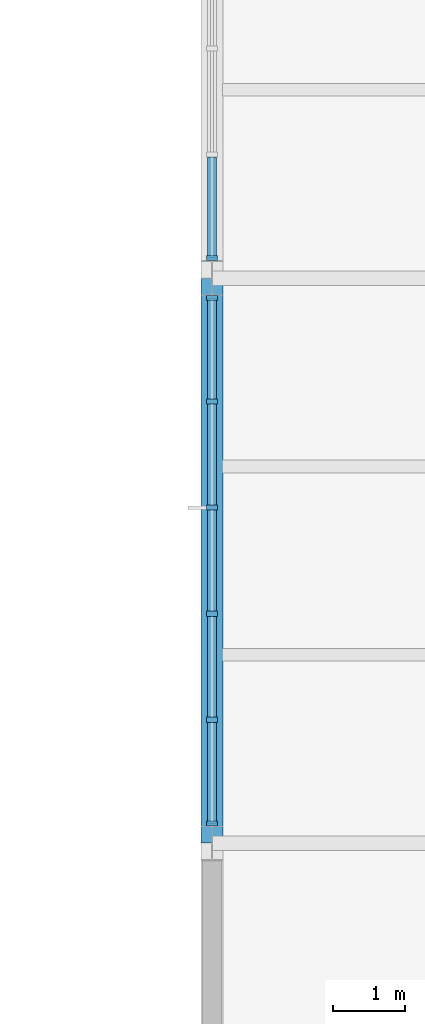
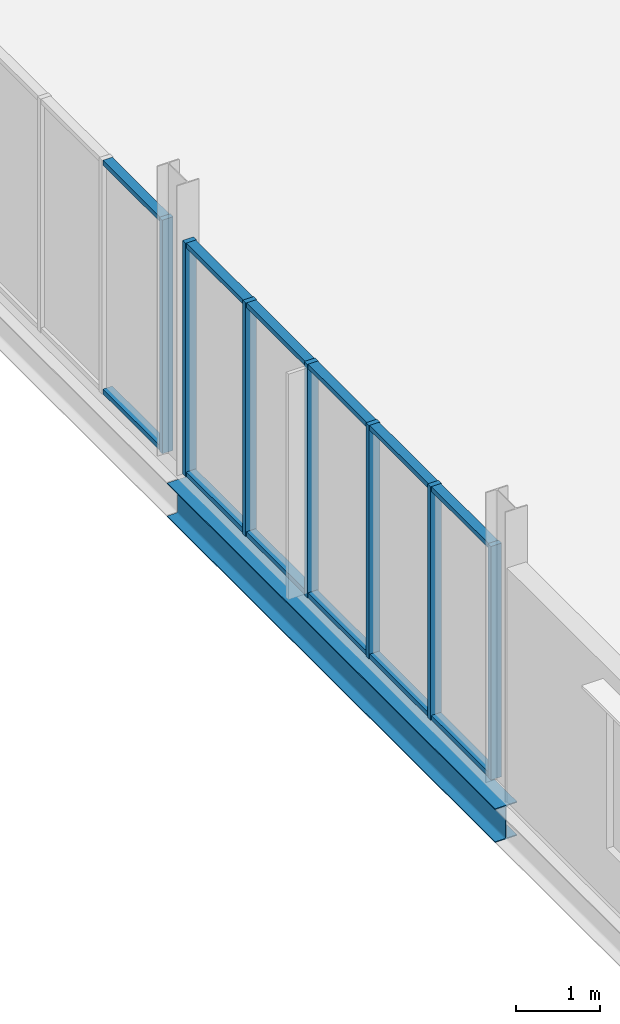
# One storey, part 12 of 45: 19 members, 1 beam, 2 elements without a shape of their own.
"""IFC4 building model written with IfcOpenShell, lengths in metres."""

import ifcopenshell
import ifcopenshell.guid

model = None  # the IFC model being written
_history = None  # IfcOwnerHistory: only IFC2X3 demands one
_inside = {}  # id of a spatial element -> (the spatial element, [elements in it])
_under = {}  # id of a project, library or spatial element -> (it, [spatial elements below it])
_declared = {}  # id of a project -> (the project, [libraries it declares])
_typed = {}  # id of a type object -> (the type object, [elements of that type])
_made_of = {}  # id of a material, layer set ... -> (it, [elements and type objects made of it])


def new_model(schema):
    """Start an empty IFC model of exactly this schema.

    Asked for "IFC4X3", IfcOpenShell would pick the latest addendum, in which some entities
    have other attributes; the version numbers below select the first issue.
    IFC2X3 requires an IfcOwnerHistory on every rooted entity: one is made here for all.
    """
    global model, _history
    if schema == "IFC4X3":
        model = ifcopenshell.file(schema_version=(4, 3, 0, 0))
    else:
        model = ifcopenshell.file(schema=schema)
    _inside.clear()
    _under.clear()
    _declared.clear()
    _typed.clear()
    _made_of.clear()
    _history = None
    if model.schema == "IFC2X3":
        org = make("IfcOrganization", Name="unknown")
        user = make(
            "IfcPersonAndOrganization",
            ThePerson=make("IfcPerson", FamilyName="unknown"),
            TheOrganization=org,
        )
        app = make(
            "IfcApplication",
            ApplicationDeveloper=org,
            Version="unknown",
            ApplicationFullName="unknown",
            ApplicationIdentifier="unknown",
        )
        _history = make(
            "IfcOwnerHistory",
            OwningUser=user,
            OwningApplication=app,
            ChangeAction="ADDED",
            CreationDate=0,
        )
    return model


def make(cls, **values):
    """One entity of the class cls with the attributes given. An attribute that is None is left unset."""
    return model.create_entity(
        cls, **{name: value for name, value in values.items() if value is not None}
    )


def rooted(cls, **values):
    """An entity with a GlobalId (a new one), such as an element, a storey or a relation."""
    return make(cls, GlobalId=ifcopenshell.guid.new(), OwnerHistory=_history, **values)


def si_unit(unit_type, name, prefix=None):
    """IfcSIUnit, for example si_unit("LENGTHUNIT", "METRE", prefix="MILLI")."""
    return make("IfcSIUnit", UnitType=unit_type, Prefix=prefix, Name=name)


def assignment(units):
    """IfcUnitAssignment: the units of a project."""
    return None if units is None else make("IfcUnitAssignment", Units=units)


def point(xyz):
    """IfcCartesianPoint."""
    return None if xyz is None else make("IfcCartesianPoint", Coordinates=xyz)


def direction(xyz):
    """IfcDirection."""
    return None if xyz is None else make("IfcDirection", DirectionRatios=xyz)


def frame(location, z_axis=None, x_axis=None):
    """IfcAxis2Placement3D, a coordinate frame: its origin and axes. An axis left out is left unset."""
    return make(
        "IfcAxis2Placement3D",
        Location=point(location),
        Axis=direction(z_axis),
        RefDirection=direction(x_axis),
    )


def frame_2d(location, x_axis=None):
    """IfcAxis2Placement2D, a coordinate frame in the plane: its origin and x axis."""
    return make(
        "IfcAxis2Placement2D", Location=point(location), RefDirection=direction(x_axis)
    )


def origin():
    """The frame at (0, 0, 0) with its axes left unset."""
    return frame((0.0, 0.0, 0.0))


def origin_2d():
    """The frame at (0, 0) in the plane with its x axis left unset."""
    return frame_2d((0.0, 0.0))


def place(relative_to, where):
    """IfcLocalPlacement: puts the frame where relative to a parent placement (None: the world)."""
    return make(
        "IfcLocalPlacement", PlacementRelTo=relative_to, RelativePlacement=where
    )


def context(
    kind, dimensions, precision=None, world=None, true_north=None, identifier=None
):
    """IfcGeometricRepresentationContext, for example the 3D "Model" context."""
    return make(
        "IfcGeometricRepresentationContext",
        ContextIdentifier=identifier,
        ContextType=kind,
        CoordinateSpaceDimension=dimensions,
        Precision=precision,
        WorldCoordinateSystem=world,
        TrueNorth=true_north,
    )


def subcontext(parent, identifier, kind, view, scale=None):
    """IfcGeometricRepresentationSubContext, for example "Body" below "Model"."""
    return make(
        "IfcGeometricRepresentationSubContext",
        ContextIdentifier=identifier,
        ContextType=kind,
        ParentContext=parent,
        TargetScale=scale,
        TargetView=view,
    )


def project(units=None, contexts=None):
    """IfcProject with its units and contexts."""
    return rooted(
        "IfcProject",
        Name="project",
        RepresentationContexts=contexts,
        UnitsInContext=assignment(units),
    )


def spatial(cls, under=None, at=None, **own):
    """A site, building, storey or space (cls), placed at a placement, below another one or the project."""
    s = rooted(cls, ObjectPlacement=at, **own)
    if under is not None:
        _under.setdefault(under.id(), (under, []))[1].append(s)
    return s


def profile(cls, at=None, kind="AREA", **sizes):
    """A parametric profile (cls). Its sizes go by their IFC names, for example OverallWidth=200.0."""
    return make(cls, ProfileType=kind, Position=at, **sizes)


def rectangle(**sizes):
    """IfcRectangleProfileDef."""
    return profile("IfcRectangleProfileDef", **sizes)


def i_section(**sizes):
    """IfcIShapeProfileDef."""
    return profile("IfcIShapeProfileDef", **sizes)


def extrude(swept, where, along, depth):
    """IfcExtrudedAreaSolid: the profile swept, set in the frame where, extruded along a direction by depth."""
    return make(
        "IfcExtrudedAreaSolid",
        SweptArea=swept,
        Position=where,
        ExtrudedDirection=direction(along),
        Depth=depth,
    )


def shape(context_of_items, identifier, shape_type, items):
    """IfcShapeRepresentation: the items that make up one representation, for example the "Body"."""
    return make(
        "IfcShapeRepresentation",
        ContextOfItems=context_of_items,
        RepresentationIdentifier=identifier,
        RepresentationType=shape_type,
        Items=items,
    )


def material(Name=None, Category=None):
    """IfcMaterial."""
    return make("IfcMaterial", Name=Name, Category=Category)


def layer(
    of_material, thickness, ventilated=None, Name=None, Category=None, Priority=None
):
    """IfcMaterialLayer: one layer of a wall or slab, of a material (None: an air gap)."""
    return make(
        "IfcMaterialLayer",
        Material=of_material,
        LayerThickness=thickness,
        IsVentilated=ventilated,
        Name=Name,
        Category=Category,
        Priority=Priority,
    )


def layer_set(layers, Name=None):
    """IfcMaterialLayerSet."""
    return make("IfcMaterialLayerSet", MaterialLayers=layers, LayerSetName=Name)


def material_profile(
    of_material, cross_section, Name=None, Category=None, Priority=None
):
    """IfcMaterialProfile: a cross section and its material."""
    return make(
        "IfcMaterialProfile",
        Name=Name,
        Material=of_material,
        Profile=cross_section,
        Priority=Priority,
        Category=Category,
    )


def profile_set(profiles, Name=None, composite=None):
    """IfcMaterialProfileSet."""
    return make(
        "IfcMaterialProfileSet",
        Name=Name,
        MaterialProfiles=profiles,
        CompositeProfile=composite,
    )


def made_of(thing, what):
    """Note that an element or type object is made of a material, layer set ...; save() writes the relation."""
    if what is not None:
        _made_of.setdefault(what.id(), (what, []))[1].append(thing)
    return thing


def type_object(cls, material=None, **own):
    """A type object (cls), such as IfcWallType, which elements share."""
    return made_of(rooted(cls, **own), material)


def element(
    cls,
    number,
    at=None,
    inside=None,
    cuts=None,
    type_object=None,
    material=None,
    context=None,
    identifier="Body",
    shape_type=None,
    held_by="IfcProductDefinitionShape",
    body=None,
    shapes=None,
    **own,
):
    """One element of the class cls, such as IfcWall. Its Tag is "e" and its number.

    at: its placement. inside: the storey or other place that contains it. cuts: it is an
    opening in that element (IfcRelVoidsElement). A single representation is given by context,
    identifier, shape_type and body (its items); several are given by shapes. held_by: the class
    of the entity that holds the representations. save() writes the other relations.
    """
    e = rooted(cls, Tag="e%d" % number, ObjectPlacement=at, **own)
    if body is not None:
        shapes = [shape(context, identifier, shape_type, body)]
    if shapes is not None:
        e.Representation = make(held_by, Representations=shapes)
    if inside is not None:
        _inside.setdefault(inside.id(), (inside, []))[1].append(e)
    if cuts is not None:
        rooted(
            "IfcRelVoidsElement", RelatingBuildingElement=cuts, RelatedOpeningElement=e
        )
    if type_object is not None:
        _typed.setdefault(type_object.id(), (type_object, []))[1].append(e)
    return made_of(e, material)


def aggregate(whole, parts):
    """IfcRelAggregates: a whole, such as a stair, and the parts it consists of."""
    return rooted("IfcRelAggregates", RelatingObject=whole, RelatedObjects=parts)


def save(model, path):
    """Write the relations noted so far, then the file.

    IfcRelAggregates (storeys below a building ...), IfcRelContainedInSpatialStructure (elements
    in a storey), IfcRelDefinesByType, IfcRelAssociatesMaterial and IfcRelDeclares: one each for
    every whole, place, type object, material and project.
    """
    for whole, parts in _under.values():
        aggregate(whole, parts)
    for where, things in _inside.values():
        rooted(
            "IfcRelContainedInSpatialStructure",
            RelatedElements=things,
            RelatingStructure=where,
        )
    for kind, things in _typed.values():
        rooted("IfcRelDefinesByType", RelatedObjects=things, RelatingType=kind)
    for what, things in _made_of.values():
        rooted("IfcRelAssociatesMaterial", RelatedObjects=things, RelatingMaterial=what)
    for by, libraries in _declared.values():
        rooted("IfcRelDeclares", RelatingContext=by, RelatedDefinitions=libraries)
    model.write(path)


model = new_model("IFC4")

# Units and contexts
model_context = context("Model", 3, precision=1e-05, world=origin(), true_north=direction((0.0, 1.0)))
body_context = subcontext(model_context, "Body", "Model", "MODEL_VIEW")
ifc_project = project(units=[si_unit("LENGTHUNIT", "METRE"), si_unit("AREAUNIT", "SQUARE_METRE"), si_unit("VOLUMEUNIT", "CUBIC_METRE"), si_unit("PLANEANGLEUNIT", "RADIAN"), si_unit("MASSUNIT", "GRAM", prefix="KILO")], contexts=[model_context])

# Site, building, storey
site_placement = place(None, origin())
site = spatial("IfcSite", under=ifc_project, at=site_placement, CompositionType="ELEMENT")
building_placement = place(site_placement, origin())
building = spatial("IfcBuilding", under=site, at=building_placement, Name="Yukiwa Park Conservatory and Herbarium", CompositionType="ELEMENT")
storey_placement = place(building_placement, frame((0.0, 0.0, 9.0)))
storey = spatial("IfcBuildingStorey", under=building, at=storey_placement, Name="L02", CompositionType="ELEMENT", Elevation=9.0)

# Beam
ifc_material_1 = material(Name="Steel Q355D", Category="steel")
ifc_material_profile = material_profile(ifc_material_1, i_section(OverallWidth=0.300048828125, OverallDepth=0.493896484375, WebThickness=0.010986328125, FlangeThickness=0.014892578125, FilletRadius=0.02392578125, at=origin_2d()), Name="HM 494x300x11x15")
ifc_profile_set = profile_set([ifc_material_profile], Name="Steel Q355D")
beam_type = type_object("IfcBeamType", Name="BM-SPN-HN450", PredefinedType="SPANDREL", material=ifc_profile_set)
beam_placement = place(storey_placement, frame((60.0, 54.60595703125, -0.491943359375), z_axis=(0.0, 1.0, 0.0), x_axis=(-1.0, 0.0, 0.0)))
element("IfcBeam", 1, at=beam_placement, inside=storey, type_object=beam_type, Name="L02 spandrel girder Y-59", PredefinedType="SPANDREL", context=body_context, shape_type="SweptSolid", body=[
    extrude(i_section(OverallWidth=0.300048828125, OverallDepth=0.493896484375, WebThickness=0.010986328125, FlangeThickness=0.014892578125, FilletRadius=0.02392578125, at=origin_2d()), origin(), (0.0, 0.0, 1.0), 7.7880859375),
])

# Curtain wall, member
ifc_material_2 = material(Name="Triple Low-E Insulated Glass", Category="glass")
ifc_layer = layer(ifc_material_2, 0.199951171875)
ifc_layer_set = layer_set([ifc_layer], Name="Triple Low-E Insulated Glass")
curtain_wall_type = type_object("IfcCurtainWallType", Name="CW-VISITOR-1600", PredefinedType="NOTDEFINED", material=ifc_layer_set)
curtain_wall_1_placement = place(storey_placement, origin())
curtain_wall_1 = element("IfcCurtainWall", 2, at=curtain_wall_1_placement, inside=storey, type_object=curtain_wall_type, Name="L02 unitised curtain wall CW-L02-066", PredefinedType="NOTDEFINED")
ifc_material_3 = material(Name="Anodised Aluminium", Category="aluminium")
member_type_1 = type_object("IfcMemberType", Name="MB-CW-MUL-70X150", PredefinedType="MULLION", material=ifc_material_3)
member_1_placement = place(storey_placement, frame((60.0, 62.676025390625, 0.0), z_axis=(0.0, 0.0, 1.0), x_axis=(0.0, -1.0, 0.0)))
member_1 = element("IfcMember", 3, at=member_1_placement, type_object=member_type_1, Name="CW-L02-066 mullion 6", PredefinedType="MULLION", context=body_context, shape_type="SweptSolid", body=[
    extrude(rectangle(XDim=0.070068359375, YDim=0.14990234375, at=origin_2d()), origin(), (0.0, 0.0, 1.0), 3.385986328125),
])

# Curtain wall, members
curtain_wall_2_placement = place(storey_placement, origin())
curtain_wall_2 = element("IfcCurtainWall", 4, at=curtain_wall_2_placement, inside=storey, type_object=curtain_wall_type, Name="L02 unitised curtain wall CW-L02-067", PredefinedType="NOTDEFINED")
member_2_placement = place(storey_placement, frame((60.0, 62.1240234375, 0.0), z_axis=(0.0, 0.0, 1.0), x_axis=(0.0, -1.0, 0.0)))
member_2 = element("IfcMember", 5, at=member_2_placement, type_object=member_type_1, Name="CW-L02-067 mullion 1", PredefinedType="MULLION", context=body_context, shape_type="SweptSolid", body=[
    extrude(rectangle(XDim=0.070068359375, YDim=0.14990234375, at=origin_2d()), origin(), (0.0, 0.0, 1.0), 3.385986328125),
])
member_3_placement = place(storey_placement, frame((60.0, 60.6953125, 0.0), z_axis=(0.0, 0.0, 1.0), x_axis=(0.0, -1.0, 0.0)))
member_3 = element("IfcMember", 6, at=member_3_placement, type_object=member_type_1, Name="CW-L02-067 mullion 2", PredefinedType="MULLION", context=body_context, shape_type="SweptSolid", body=[
    extrude(rectangle(XDim=0.070068359375, YDim=0.14990234375, at=origin_2d()), origin(), (0.0, 0.0, 1.0), 3.385986328125),
])
member_4_placement = place(storey_placement, frame((60.0, 59.231689453125, 0.0), z_axis=(0.0, 0.0, 1.0), x_axis=(0.0, -1.0, 0.0)))
member_4 = element("IfcMember", 7, at=member_4_placement, type_object=member_type_1, Name="CW-L02-067 mullion 3", PredefinedType="MULLION", context=body_context, shape_type="SweptSolid", body=[
    extrude(rectangle(XDim=0.070068359375, YDim=0.14990234375, at=origin_2d()), origin(), (0.0, 0.0, 1.0), 3.385986328125),
])
member_5_placement = place(storey_placement, frame((60.0, 57.768310546875, 0.0), z_axis=(0.0, 0.0, 1.0), x_axis=(0.0, -1.0, 0.0)))
member_5 = element("IfcMember", 8, at=member_5_placement, type_object=member_type_1, Name="CW-L02-067 mullion 4", PredefinedType="MULLION", context=body_context, shape_type="SweptSolid", body=[
    extrude(rectangle(XDim=0.070068359375, YDim=0.14990234375, at=origin_2d()), origin(), (0.0, 0.0, 1.0), 3.385986328125),
])
member_6_placement = place(storey_placement, frame((60.0, 56.3046875, 0.0), z_axis=(0.0, 0.0, 1.0), x_axis=(0.0, -1.0, 0.0)))
member_6 = element("IfcMember", 9, at=member_6_placement, type_object=member_type_1, Name="CW-L02-067 mullion 5", PredefinedType="MULLION", context=body_context, shape_type="SweptSolid", body=[
    extrude(rectangle(XDim=0.070068359375, YDim=0.14990234375, at=origin_2d()), origin(), (0.0, 0.0, 1.0), 3.385986328125),
])
member_7_placement = place(storey_placement, frame((60.0, 54.8759765625, 0.0), z_axis=(0.0, 0.0, 1.0), x_axis=(0.0, -1.0, 0.0)))
member_7 = element("IfcMember", 10, at=member_7_placement, type_object=member_type_1, Name="CW-L02-067 mullion 6", PredefinedType="MULLION", context=body_context, shape_type="SweptSolid", body=[
    extrude(rectangle(XDim=0.070068359375, YDim=0.14990234375, at=origin_2d()), origin(), (0.0, 0.0, 1.0), 3.385986328125),
])

# Member
ifc_material_4 = material(Name="Anodised Aluminium", Category="aluminium")
member_type_2 = type_object("IfcMemberType", Name="MB-CW-TRN-70X130", PredefinedType="USERDEFINED", material=ifc_material_4)
member_8_placement = place(storey_placement, frame((60.0, 63.372802734375, 0.0), z_axis=(0.0, 0.0, 1.0), x_axis=(0.0, -1.0, 0.0)))
member_8 = element("IfcMember", 11, at=member_8_placement, type_object=member_type_2, Name="CW-L02-066 transom 5.1", ObjectType="TRANSOM", PredefinedType="USERDEFINED", context=body_context, shape_type="SweptSolid", body=[
    extrude(rectangle(XDim=1.3935546875, YDim=0.1298828125, at=origin_2d()), origin(), (0.0, 0.0, 1.0), 0.070068359375),
])

member_9_placement = place(storey_placement, frame((60.0, 63.372802734375, 3.31591796875), z_axis=(0.0, 0.0, 1.0), x_axis=(0.0, -1.0, 0.0)))
member_9 = element("IfcMember", 12, at=member_9_placement, type_object=member_type_2, Name="CW-L02-066 transom 5.2", ObjectType="TRANSOM", PredefinedType="USERDEFINED", context=body_context, shape_type="SweptSolid", body=[
    extrude(rectangle(XDim=1.3935546875, YDim=0.1298828125, at=origin_2d()), origin(), (0.0, 0.0, 1.0), 0.070068359375),
])

aggregate(curtain_wall_1, [member_1, member_8, member_9])

member_10_placement = place(storey_placement, frame((60.0, 61.42724609375, 0.0), z_axis=(0.0, 0.0, 1.0), x_axis=(0.0, -1.0, 0.0)))
member_10 = element("IfcMember", 13, at=member_10_placement, type_object=member_type_2, Name="CW-L02-067 transom 1.1", ObjectType="TRANSOM", PredefinedType="USERDEFINED", context=body_context, shape_type="SweptSolid", body=[
    extrude(rectangle(XDim=1.3935546875, YDim=0.1298828125, at=origin_2d()), origin(), (0.0, 0.0, 1.0), 0.070068359375),
])

member_11_placement = place(storey_placement, frame((60.0, 61.42724609375, 3.31591796875), z_axis=(0.0, 0.0, 1.0), x_axis=(0.0, -1.0, 0.0)))
member_11 = element("IfcMember", 14, at=member_11_placement, type_object=member_type_2, Name="CW-L02-067 transom 1.2", ObjectType="TRANSOM", PredefinedType="USERDEFINED", context=body_context, shape_type="SweptSolid", body=[
    extrude(rectangle(XDim=1.3935546875, YDim=0.1298828125, at=origin_2d()), origin(), (0.0, 0.0, 1.0), 0.070068359375),
])

member_12_placement = place(storey_placement, frame((60.0, 59.963623046875, 0.0), z_axis=(0.0, 0.0, 1.0), x_axis=(0.0, -1.0, 0.0)))
member_12 = element("IfcMember", 15, at=member_12_placement, type_object=member_type_2, Name="CW-L02-067 transom 2.1", ObjectType="TRANSOM", PredefinedType="USERDEFINED", context=body_context, shape_type="SweptSolid", body=[
    extrude(rectangle(XDim=1.3935546875, YDim=0.1298828125, at=origin_2d()), origin(), (0.0, 0.0, 1.0), 0.070068359375),
])

member_13_placement = place(storey_placement, frame((60.0, 59.963623046875, 3.31591796875), z_axis=(0.0, 0.0, 1.0), x_axis=(0.0, -1.0, 0.0)))
member_13 = element("IfcMember", 16, at=member_13_placement, type_object=member_type_2, Name="CW-L02-067 transom 2.2", ObjectType="TRANSOM", PredefinedType="USERDEFINED", context=body_context, shape_type="SweptSolid", body=[
    extrude(rectangle(XDim=1.3935546875, YDim=0.1298828125, at=origin_2d()), origin(), (0.0, 0.0, 1.0), 0.070068359375),
])

member_14_placement = place(storey_placement, frame((60.0, 58.5, 0.0), z_axis=(0.0, 0.0, 1.0), x_axis=(0.0, -1.0, 0.0)))
member_14 = element("IfcMember", 17, at=member_14_placement, type_object=member_type_2, Name="CW-L02-067 transom 3.1", ObjectType="TRANSOM", PredefinedType="USERDEFINED", context=body_context, shape_type="SweptSolid", body=[
    extrude(rectangle(XDim=1.3935546875, YDim=0.1298828125, at=origin_2d()), origin(), (0.0, 0.0, 1.0), 0.070068359375),
])

member_15_placement = place(storey_placement, frame((60.0, 58.5, 3.31591796875), z_axis=(0.0, 0.0, 1.0), x_axis=(0.0, -1.0, 0.0)))
member_15 = element("IfcMember", 18, at=member_15_placement, type_object=member_type_2, Name="CW-L02-067 transom 3.2", ObjectType="TRANSOM", PredefinedType="USERDEFINED", context=body_context, shape_type="SweptSolid", body=[
    extrude(rectangle(XDim=1.3935546875, YDim=0.1298828125, at=origin_2d()), origin(), (0.0, 0.0, 1.0), 0.070068359375),
])

member_16_placement = place(storey_placement, frame((60.0, 57.036376953125, 0.0), z_axis=(0.0, 0.0, 1.0), x_axis=(0.0, -1.0, 0.0)))
member_16 = element("IfcMember", 19, at=member_16_placement, type_object=member_type_2, Name="CW-L02-067 transom 4.1", ObjectType="TRANSOM", PredefinedType="USERDEFINED", context=body_context, shape_type="SweptSolid", body=[
    extrude(rectangle(XDim=1.3935546875, YDim=0.1298828125, at=origin_2d()), origin(), (0.0, 0.0, 1.0), 0.070068359375),
])

member_17_placement = place(storey_placement, frame((60.0, 57.036376953125, 3.31591796875), z_axis=(0.0, 0.0, 1.0), x_axis=(0.0, -1.0, 0.0)))
member_17 = element("IfcMember", 20, at=member_17_placement, type_object=member_type_2, Name="CW-L02-067 transom 4.2", ObjectType="TRANSOM", PredefinedType="USERDEFINED", context=body_context, shape_type="SweptSolid", body=[
    extrude(rectangle(XDim=1.3935546875, YDim=0.1298828125, at=origin_2d()), origin(), (0.0, 0.0, 1.0), 0.070068359375),
])

member_18_placement = place(storey_placement, frame((60.0, 55.57275390625, 0.0), z_axis=(0.0, 0.0, 1.0), x_axis=(0.0, -1.0, 0.0)))
member_18 = element("IfcMember", 21, at=member_18_placement, type_object=member_type_2, Name="CW-L02-067 transom 5.1", ObjectType="TRANSOM", PredefinedType="USERDEFINED", context=body_context, shape_type="SweptSolid", body=[
    extrude(rectangle(XDim=1.3935546875, YDim=0.1298828125, at=origin_2d()), origin(), (0.0, 0.0, 1.0), 0.070068359375),
])

member_19_placement = place(storey_placement, frame((60.0, 55.57275390625, 3.31591796875), z_axis=(0.0, 0.0, 1.0), x_axis=(0.0, -1.0, 0.0)))
member_19 = element("IfcMember", 22, at=member_19_placement, type_object=member_type_2, Name="CW-L02-067 transom 5.2", ObjectType="TRANSOM", PredefinedType="USERDEFINED", context=body_context, shape_type="SweptSolid", body=[
    extrude(rectangle(XDim=1.3935546875, YDim=0.1298828125, at=origin_2d()), origin(), (0.0, 0.0, 1.0), 0.070068359375),
])

aggregate(curtain_wall_2, [member_2, member_3, member_4, member_5, member_6, member_7, member_10, member_11, member_12, member_13, member_14, member_15, member_16, member_17, member_18, member_19])

save(model, "model.ifc")
